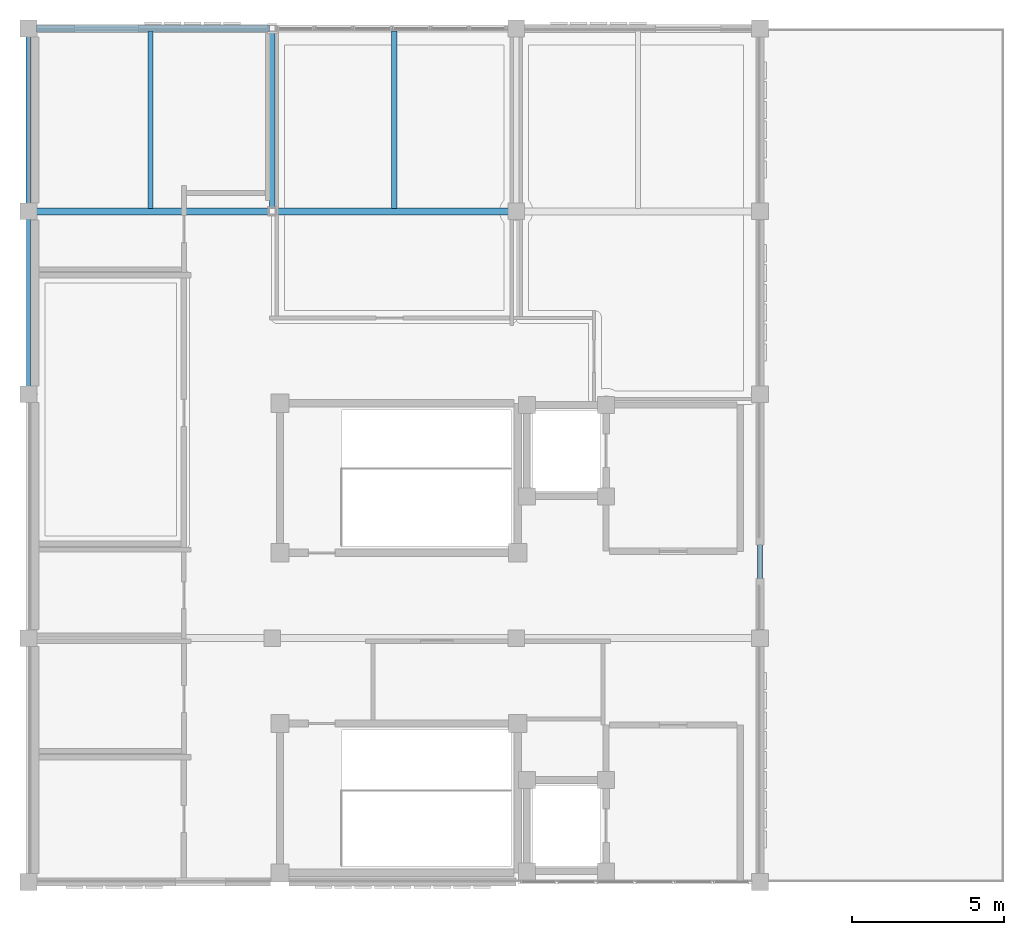
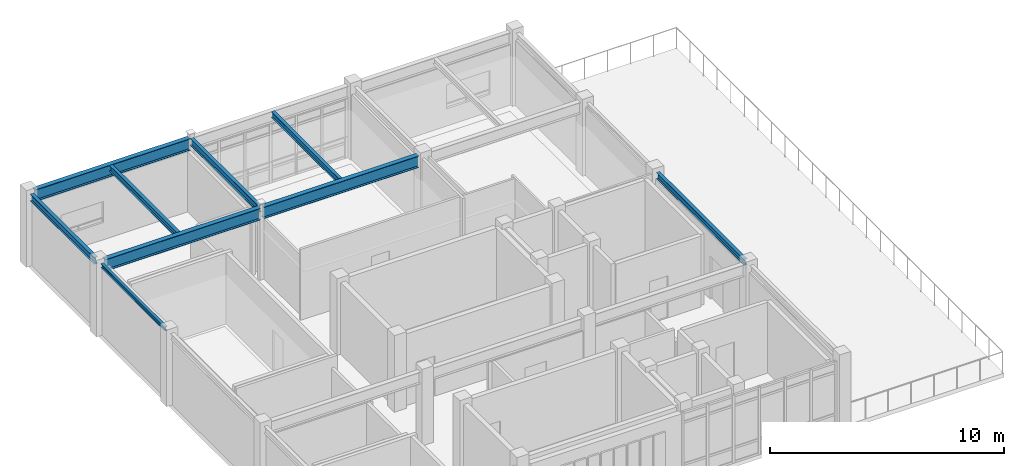
# One storey, part 5 of 11: 9 beams.
"""IFC4 building model written with IfcOpenShell, lengths in metres."""

import ifcopenshell
import ifcopenshell.guid

model = None  # the IFC model being written
_history = None  # IfcOwnerHistory: only IFC2X3 demands one
_inside = {}  # id of a spatial element -> (the spatial element, [elements in it])
_under = {}  # id of a project, library or spatial element -> (it, [spatial elements below it])
_declared = {}  # id of a project -> (the project, [libraries it declares])
_typed = {}  # id of a type object -> (the type object, [elements of that type])
_made_of = {}  # id of a material, layer set ... -> (it, [elements and type objects made of it])


def new_model(schema):
    """Start an empty IFC model of exactly this schema.

    Asked for "IFC4X3", IfcOpenShell would pick the latest addendum, in which some entities
    have other attributes; the version numbers below select the first issue.
    IFC2X3 requires an IfcOwnerHistory on every rooted entity: one is made here for all.
    """
    global model, _history
    if schema == "IFC4X3":
        model = ifcopenshell.file(schema_version=(4, 3, 0, 0))
    else:
        model = ifcopenshell.file(schema=schema)
    _inside.clear()
    _under.clear()
    _declared.clear()
    _typed.clear()
    _made_of.clear()
    _history = None
    if model.schema == "IFC2X3":
        org = make("IfcOrganization", Name="unknown")
        user = make(
            "IfcPersonAndOrganization",
            ThePerson=make("IfcPerson", FamilyName="unknown"),
            TheOrganization=org,
        )
        app = make(
            "IfcApplication",
            ApplicationDeveloper=org,
            Version="unknown",
            ApplicationFullName="unknown",
            ApplicationIdentifier="unknown",
        )
        _history = make(
            "IfcOwnerHistory",
            OwningUser=user,
            OwningApplication=app,
            ChangeAction="ADDED",
            CreationDate=0,
        )
    return model


def make(cls, **values):
    """One entity of the class cls with the attributes given. An attribute that is None is left unset."""
    return model.create_entity(
        cls, **{name: value for name, value in values.items() if value is not None}
    )


def rooted(cls, **values):
    """An entity with a GlobalId (a new one), such as an element, a storey or a relation."""
    return make(cls, GlobalId=ifcopenshell.guid.new(), OwnerHistory=_history, **values)


def si_unit(unit_type, name, prefix=None):
    """IfcSIUnit, for example si_unit("LENGTHUNIT", "METRE", prefix="MILLI")."""
    return make("IfcSIUnit", UnitType=unit_type, Prefix=prefix, Name=name)


def assignment(units):
    """IfcUnitAssignment: the units of a project."""
    return None if units is None else make("IfcUnitAssignment", Units=units)


def point(xyz):
    """IfcCartesianPoint."""
    return None if xyz is None else make("IfcCartesianPoint", Coordinates=xyz)


def direction(xyz):
    """IfcDirection."""
    return None if xyz is None else make("IfcDirection", DirectionRatios=xyz)


def frame(location, z_axis=None, x_axis=None):
    """IfcAxis2Placement3D, a coordinate frame: its origin and axes. An axis left out is left unset."""
    return make(
        "IfcAxis2Placement3D",
        Location=point(location),
        Axis=direction(z_axis),
        RefDirection=direction(x_axis),
    )


def frame_2d(location, x_axis=None):
    """IfcAxis2Placement2D, a coordinate frame in the plane: its origin and x axis."""
    return make(
        "IfcAxis2Placement2D", Location=point(location), RefDirection=direction(x_axis)
    )


def origin():
    """The frame at (0, 0, 0) with its axes left unset."""
    return frame((0.0, 0.0, 0.0))


def origin_2d():
    """The frame at (0, 0) in the plane with its x axis left unset."""
    return frame_2d((0.0, 0.0))


def place(relative_to, where):
    """IfcLocalPlacement: puts the frame where relative to a parent placement (None: the world)."""
    return make(
        "IfcLocalPlacement", PlacementRelTo=relative_to, RelativePlacement=where
    )


def context(
    kind, dimensions, precision=None, world=None, true_north=None, identifier=None
):
    """IfcGeometricRepresentationContext, for example the 3D "Model" context."""
    return make(
        "IfcGeometricRepresentationContext",
        ContextIdentifier=identifier,
        ContextType=kind,
        CoordinateSpaceDimension=dimensions,
        Precision=precision,
        WorldCoordinateSystem=world,
        TrueNorth=true_north,
    )


def subcontext(parent, identifier, kind, view, scale=None):
    """IfcGeometricRepresentationSubContext, for example "Body" below "Model"."""
    return make(
        "IfcGeometricRepresentationSubContext",
        ContextIdentifier=identifier,
        ContextType=kind,
        ParentContext=parent,
        TargetScale=scale,
        TargetView=view,
    )


def project(units=None, contexts=None):
    """IfcProject with its units and contexts."""
    return rooted(
        "IfcProject",
        Name="project",
        RepresentationContexts=contexts,
        UnitsInContext=assignment(units),
    )


def spatial(cls, under=None, at=None, **own):
    """A site, building, storey or space (cls), placed at a placement, below another one or the project."""
    s = rooted(cls, ObjectPlacement=at, **own)
    if under is not None:
        _under.setdefault(under.id(), (under, []))[1].append(s)
    return s


def profile(cls, at=None, kind="AREA", **sizes):
    """A parametric profile (cls). Its sizes go by their IFC names, for example OverallWidth=200.0."""
    return make(cls, ProfileType=kind, Position=at, **sizes)


def i_section(**sizes):
    """IfcIShapeProfileDef."""
    return profile("IfcIShapeProfileDef", **sizes)


def extrude(swept, where, along, depth):
    """IfcExtrudedAreaSolid: the profile swept, set in the frame where, extruded along a direction by depth."""
    return make(
        "IfcExtrudedAreaSolid",
        SweptArea=swept,
        Position=where,
        ExtrudedDirection=direction(along),
        Depth=depth,
    )


def shape(context_of_items, identifier, shape_type, items):
    """IfcShapeRepresentation: the items that make up one representation, for example the "Body"."""
    return make(
        "IfcShapeRepresentation",
        ContextOfItems=context_of_items,
        RepresentationIdentifier=identifier,
        RepresentationType=shape_type,
        Items=items,
    )


def material(Name=None, Category=None):
    """IfcMaterial."""
    return make("IfcMaterial", Name=Name, Category=Category)


def material_profile(
    of_material, cross_section, Name=None, Category=None, Priority=None
):
    """IfcMaterialProfile: a cross section and its material."""
    return make(
        "IfcMaterialProfile",
        Name=Name,
        Material=of_material,
        Profile=cross_section,
        Priority=Priority,
        Category=Category,
    )


def profile_set(profiles, Name=None, composite=None):
    """IfcMaterialProfileSet."""
    return make(
        "IfcMaterialProfileSet",
        Name=Name,
        MaterialProfiles=profiles,
        CompositeProfile=composite,
    )


def made_of(thing, what):
    """Note that an element or type object is made of a material, layer set ...; save() writes the relation."""
    if what is not None:
        _made_of.setdefault(what.id(), (what, []))[1].append(thing)
    return thing


def type_object(cls, material=None, **own):
    """A type object (cls), such as IfcWallType, which elements share."""
    return made_of(rooted(cls, **own), material)


def element(
    cls,
    number,
    at=None,
    inside=None,
    cuts=None,
    type_object=None,
    material=None,
    context=None,
    identifier="Body",
    shape_type=None,
    held_by="IfcProductDefinitionShape",
    body=None,
    shapes=None,
    **own,
):
    """One element of the class cls, such as IfcWall. Its Tag is "e" and its number.

    at: its placement. inside: the storey or other place that contains it. cuts: it is an
    opening in that element (IfcRelVoidsElement). A single representation is given by context,
    identifier, shape_type and body (its items); several are given by shapes. held_by: the class
    of the entity that holds the representations. save() writes the other relations.
    """
    e = rooted(cls, Tag="e%d" % number, ObjectPlacement=at, **own)
    if body is not None:
        shapes = [shape(context, identifier, shape_type, body)]
    if shapes is not None:
        e.Representation = make(held_by, Representations=shapes)
    if inside is not None:
        _inside.setdefault(inside.id(), (inside, []))[1].append(e)
    if cuts is not None:
        rooted(
            "IfcRelVoidsElement", RelatingBuildingElement=cuts, RelatedOpeningElement=e
        )
    if type_object is not None:
        _typed.setdefault(type_object.id(), (type_object, []))[1].append(e)
    return made_of(e, material)


def aggregate(whole, parts):
    """IfcRelAggregates: a whole, such as a stair, and the parts it consists of."""
    return rooted("IfcRelAggregates", RelatingObject=whole, RelatedObjects=parts)


def save(model, path):
    """Write the relations noted so far, then the file.

    IfcRelAggregates (storeys below a building ...), IfcRelContainedInSpatialStructure (elements
    in a storey), IfcRelDefinesByType, IfcRelAssociatesMaterial and IfcRelDeclares: one each for
    every whole, place, type object, material and project.
    """
    for whole, parts in _under.values():
        aggregate(whole, parts)
    for where, things in _inside.values():
        rooted(
            "IfcRelContainedInSpatialStructure",
            RelatedElements=things,
            RelatingStructure=where,
        )
    for kind, things in _typed.values():
        rooted("IfcRelDefinesByType", RelatedObjects=things, RelatingType=kind)
    for what, things in _made_of.values():
        rooted("IfcRelAssociatesMaterial", RelatedObjects=things, RelatingMaterial=what)
    for by, libraries in _declared.values():
        rooted("IfcRelDeclares", RelatingContext=by, RelatedDefinitions=libraries)
    model.write(path)


model = new_model("IFC4")

# Units and contexts
model_context = context("Model", 3, precision=1e-05, world=origin(), true_north=direction((0.0, 1.0)))
body_context = subcontext(model_context, "Body", "Model", "MODEL_VIEW")
ifc_project = project(units=[si_unit("LENGTHUNIT", "METRE"), si_unit("AREAUNIT", "SQUARE_METRE"), si_unit("VOLUMEUNIT", "CUBIC_METRE"), si_unit("PLANEANGLEUNIT", "RADIAN"), si_unit("MASSUNIT", "GRAM", prefix="KILO")], contexts=[model_context])

# Site, building, storey
site_placement = place(None, origin())
site = spatial("IfcSite", under=ifc_project, at=site_placement, CompositionType="ELEMENT")
building_placement = place(site_placement, origin())
building = spatial("IfcBuilding", under=site, at=building_placement, Name="Celadon Cloister-Ring School", CompositionType="ELEMENT")
storey_placement = place(building_placement, frame((0.0, 0.0, 20.5)))
storey = spatial("IfcBuildingStorey", under=building, at=storey_placement, Name="L05", CompositionType="ELEMENT", Elevation=20.5)

# Beams
ifc_material_1 = material(Name="Structural steel S355JR", Category="steel")
ifc_material_profile_1 = material_profile(ifc_material_1, i_section(OverallWidth=0.1708984375, OverallDepth=0.35498046875, WebThickness=0.007080078125, FlangeThickness=0.01171875, at=origin_2d()), Name="W360X51")
ifc_profile_set_1 = profile_set([ifc_material_profile_1], Name="Structural steel S355JR")
beam_type_1 = type_object("IfcBeamType", Name="BT-07", PredefinedType="BEAM", material=ifc_profile_set_1)
beam_1_placement = place(storey_placement, frame((0.0, 62.25, 3.5830078125), z_axis=(0.0, 1.0, 0.0), x_axis=(-1.0, 0.0, 0.0)))
element("IfcBeam", 1, at=beam_1_placement, inside=storey, type_object=beam_type_1, Name="Beam 1692", PredefinedType="BEAM", context=body_context, shape_type="SweptSolid", body=[
    extrude(i_section(OverallWidth=0.1708984375, OverallDepth=0.35498046875, WebThickness=0.007080078125, FlangeThickness=0.01171875, at=origin_2d()), origin(), (0.0, 0.0, 1.0), 5.5),
])
beam_2_placement = place(storey_placement, frame((8.0, 62.0849609375, 3.5830078125), z_axis=(0.0, 1.0, 0.0), x_axis=(-1.0, 0.0, 0.0)))
element("IfcBeam", 2, at=beam_2_placement, inside=storey, type_object=beam_type_1, Name="Beam 1693", PredefinedType="BEAM", context=body_context, shape_type="SweptSolid", body=[
    extrude(i_section(OverallWidth=0.1708984375, OverallDepth=0.35498046875, WebThickness=0.007080078125, FlangeThickness=0.01171875, at=origin_2d()), origin(), (0.0, 0.0, 1.0), 5.830078125),
])
ifc_material_2 = material(Name="Structural steel S355JR", Category="steel")
ifc_material_profile_2 = material_profile(ifc_material_2, i_section(OverallWidth=0.1669921875, OverallDepth=0.31689453125, WebThickness=0.007568359375, FlangeThickness=0.01318359375, at=origin_2d()), Name="W310X52")
ifc_profile_set_2 = profile_set([ifc_material_profile_2], Name="Structural steel S355JR")
beam_type_2 = type_object("IfcBeamType", Name="BT-08", PredefinedType="BEAM", material=ifc_profile_set_2)
beam_3_placement = place(storey_placement, frame((24.0, 48.25, 3.60205078125), z_axis=(0.0, 1.0, 0.0), x_axis=(-1.0, 0.0, 0.0)))
element("IfcBeam", 3, at=beam_3_placement, inside=storey, type_object=beam_type_2, Name="Beam 1696", PredefinedType="BEAM", context=body_context, shape_type="SweptSolid", body=[
    extrude(i_section(OverallWidth=0.1669921875, OverallDepth=0.31689453125, WebThickness=0.007568359375, FlangeThickness=0.01318359375, at=origin_2d()), origin(), (0.0, 0.0, 1.0), 7.5),
])
ifc_material_3 = material(Name="Structural steel S355JR", Category="steel")
ifc_material_profile_3 = material_profile(ifc_material_3, i_section(OverallWidth=0.133056640625, OverallDepth=0.20703125, WebThickness=0.005859375, FlangeThickness=0.00830078125, at=origin_2d()), Name="W200X27")
ifc_profile_set_3 = profile_set([ifc_material_profile_3], Name="Structural steel S355JR")
beam_type_3 = type_object("IfcBeamType", Name="BT-11", PredefinedType="BEAM", material=ifc_profile_set_3)
beam_4_placement = place(storey_placement, frame((0.0, 56.25, 3.656982421875), z_axis=(0.0, 1.0, 0.0), x_axis=(-1.0, 0.0, 0.0)))
element("IfcBeam", 4, at=beam_4_placement, inside=storey, type_object=beam_type_3, Name="Beam 1691", PredefinedType="BEAM", context=body_context, shape_type="SweptSolid", body=[
    extrude(i_section(OverallWidth=0.133056640625, OverallDepth=0.20703125, WebThickness=0.005859375, FlangeThickness=0.00830078125, at=origin_2d()), origin(), (0.0, 0.0, 1.0), 5.5),
])
ifc_material_4 = material(Name="Structural steel S355JR", Category="steel")
ifc_material_profile_4 = material_profile(ifc_material_4, i_section(OverallWidth=0.22900390625, OverallDepth=0.612060546875, WebThickness=0.011962890625, FlangeThickness=0.01953125, at=origin_2d()), Name="W610X125")
ifc_profile_set_4 = profile_set([ifc_material_profile_4], Name="Structural steel S355JR")
beam_type_4 = type_object("IfcBeamType", Name="GT-05", PredefinedType="USERDEFINED", material=ifc_profile_set_4)
for number, where, z_axis, x_axis, name in (
    (5, (0.25, 62.0, 3.4541015625), (1.0, 0.0, 0.0), (0.0, 1.0, 0.0), "Beam 1683"),
    (6, (8.0849609375, 62.0, 3.4541015625), (1.0, 0.0, 0.0), (0.0, 1.0, 0.0), "Beam 1684"),
    (7, (0.25, 68.0, 3.4541015625), (1.0, 0.0, 0.0), (0.0, 1.0, 0.0), "Beam 1686"),
):
    element("IfcBeam", number, at=place(storey_placement, frame(where, z_axis=z_axis, x_axis=x_axis)), inside=storey, type_object=beam_type_4, Name=name, ObjectType="GIRDER", PredefinedType="USERDEFINED", context=body_context, shape_type="SweptSolid", body=[
        extrude(i_section(OverallWidth=0.22900390625, OverallDepth=0.612060546875, WebThickness=0.011962890625, FlangeThickness=0.01953125, at=origin_2d()), origin(), (0.0, 0.0, 1.0), 7.6650390625),
    ])
ifc_material_5 = material(Name="Structural steel S355JR", Category="steel")
ifc_material_profile_5 = material_profile(ifc_material_5, i_section(OverallWidth=0.1650390625, OverallDepth=0.31005859375, WebThickness=0.005859375, FlangeThickness=0.009765625, at=origin_2d()), Name="W310X39")
ifc_profile_set_5 = profile_set([ifc_material_profile_5], Name="Structural steel S355JR")
beam_type_5 = type_object("IfcBeamType", Name="JT-03", PredefinedType="JOIST", material=ifc_profile_set_5)
for number, where, z_axis, x_axis, name in (
    (8, (4.0, 62.090087890625, 3.60498046875), (0.0, 1.0, 0.0), (-1.0, 0.0, 0.0), "Beam 1699"),
    (9, (12.0, 62.090087890625, 3.60498046875), (0.0, 1.0, 0.0), (-1.0, 0.0, 0.0), "Beam 1700"),
):
    element("IfcBeam", number, at=place(storey_placement, frame(where, z_axis=z_axis, x_axis=x_axis)), inside=storey, type_object=beam_type_5, Name=name, PredefinedType="JOIST", context=body_context, shape_type="SweptSolid", body=[
        extrude(i_section(OverallWidth=0.1650390625, OverallDepth=0.31005859375, WebThickness=0.005859375, FlangeThickness=0.009765625, at=origin_2d()), origin(), (0.0, 0.0, 1.0), 5.81982421875),
    ])

save(model, "model.ifc")
